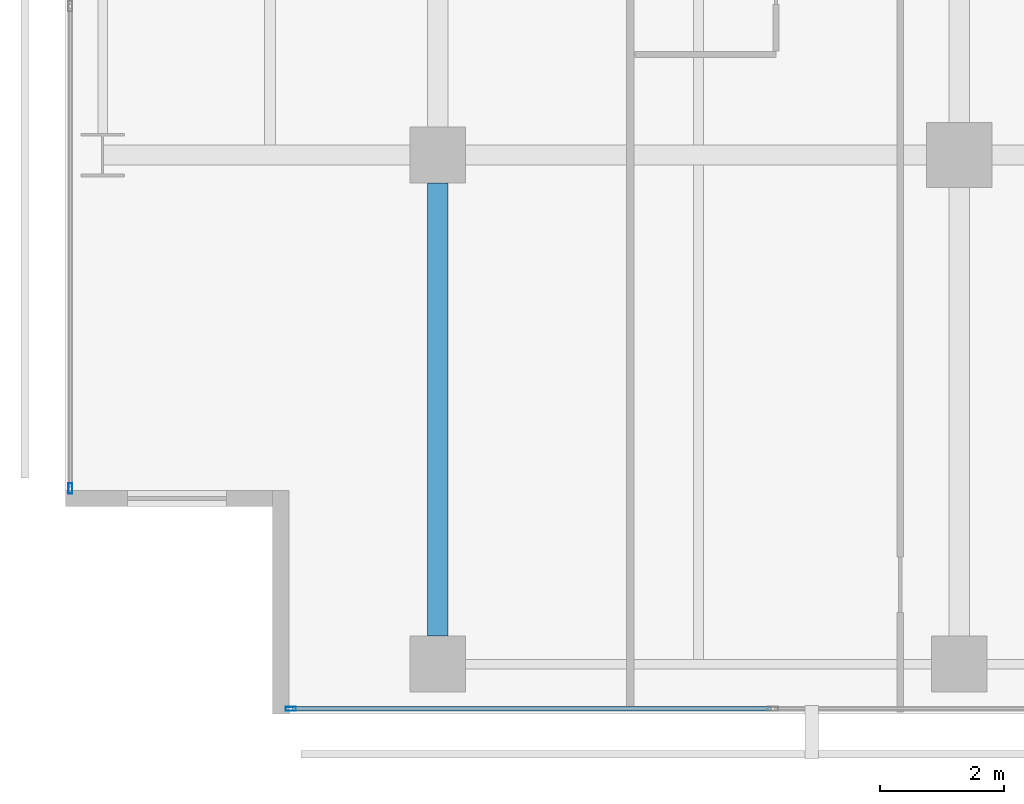
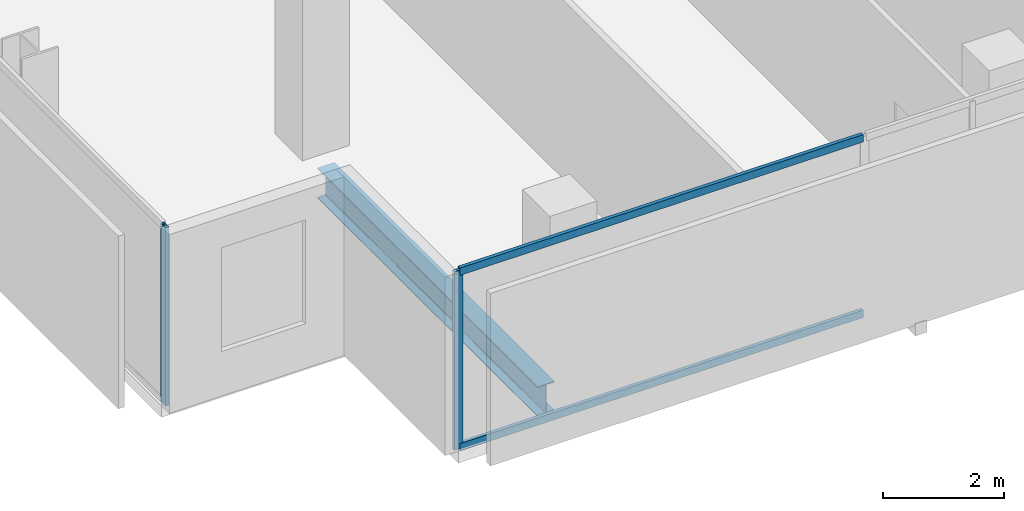
# One storey, part 2 of 40: 4 members, 1 beam, 2 elements without a shape of their own.
"""IFC4 building model written with IfcOpenShell, lengths in metres."""

from ifc_helpers import new_model, si_unit, direction, frame, origin, origin_2d, place, context, subcontext, project, spatial, hollow_rectangle, i_section, extrude, material, layer, layer_set, material_profile, profile_set, type_object, element, aggregate, save


model = new_model("IFC4")

# Units and contexts
model_context = context("Model", 3, precision=1e-05, world=origin(), true_north=direction((0.0, 1.0)))
body_context = subcontext(model_context, "Body", "Model", "MODEL_VIEW")
ifc_project = project(units=[si_unit("LENGTHUNIT", "METRE"), si_unit("AREAUNIT", "SQUARE_METRE"), si_unit("VOLUMEUNIT", "CUBIC_METRE"), si_unit("PLANEANGLEUNIT", "RADIAN"), si_unit("MASSUNIT", "GRAM", prefix="KILO")], contexts=[model_context])

# Site, building, storey
site_placement = place(None, origin())
site = spatial("IfcSite", under=ifc_project, at=site_placement, CompositionType="ELEMENT")
building_placement = place(site_placement, origin())
building = spatial("IfcBuilding", under=site, at=building_placement, Name="Maruvema Waterfront Hotel and Observation Tower", CompositionType="ELEMENT")
storey_placement = place(building_placement, frame((0.0, 0.0, 80.85009765625)))
storey = spatial("IfcBuildingStorey", under=building, at=storey_placement, Name="L19", CompositionType="ELEMENT", Elevation=80.85009765625)

# Curtain wall, members
ifc_material_1 = material(Name="Anodised bronze aluminium and solar-control low-E IGU", Category="aluminium")
ifc_layer = layer(ifc_material_1, 0.159912109375, Name="Zone 1 Bronze Inner Thermal Curtain Wall System CW-02")
ifc_layer_set = layer_set([ifc_layer], Name="Anodised bronze aluminium and solar-control low-E IGU")
curtain_wall_type = type_object("IfcCurtainWallType", Name="Zone 1 Bronze Inner Thermal Curtain Wall System CW-02", PredefinedType="USERDEFINED", material=ifc_layer_set)
curtain_wall_1_placement = place(storey_placement, origin())
curtain_wall_1 = element("IfcCurtainWall", 1, at=curtain_wall_1_placement, inside=storey, type_object=curtain_wall_type, Name="L19 Curtain Wall CW-L19-S", ObjectType="UNITISED CURTAIN WALL", PredefinedType="USERDEFINED")
ifc_material_2 = material(Name="Anodised architectural bronze aluminium", Category="aluminium")
ifc_material_profile_1 = material_profile(ifc_material_2, hollow_rectangle(XDim=0.070068359375, YDim=0.14990234375, WallThickness=0.00390625, at=origin_2d()), Name="ALU-T70x150")
ifc_profile_set_1 = profile_set([ifc_material_profile_1], Name="Anodised architectural bronze aluminium")
member_type_1 = type_object("IfcMemberType", Name="Curtain Wall Horizontal Transom ALU-T70x150", PredefinedType="USERDEFINED", material=ifc_profile_set_1)
member_1_placement = place(storey_placement, frame((14.4599609375, 0.080078125, 0.02978515625), z_axis=(1.0, 0.0, 0.0), x_axis=(0.0, 1.0, 0.0)))
member_1 = element("IfcMember", 2, at=member_1_placement, type_object=member_type_1, Name="CW-02 transom 1.1", ObjectType="TRANSOM", PredefinedType="USERDEFINED", context=body_context, shape_type="SweptSolid", body=[
    extrude(hollow_rectangle(XDim=0.070068359375, YDim=0.14990234375, WallThickness=0.00390625, at=origin_2d()), origin(), (0.0, 0.0, 1.0), 7.7099609375),
])
member_2_placement = place(storey_placement, frame((14.4599609375, 0.080078125, 3.579833984375), z_axis=(1.0, 0.0, 0.0), x_axis=(0.0, 1.0, 0.0)))
member_2 = element("IfcMember", 3, at=member_2_placement, type_object=member_type_1, Name="CW-02 transom 1.2", ObjectType="TRANSOM", PredefinedType="USERDEFINED", context=body_context, shape_type="SweptSolid", body=[
    extrude(hollow_rectangle(XDim=0.070068359375, YDim=0.14990234375, WallThickness=0.00390625, at=origin_2d()), origin(), (0.0, 0.0, 1.0), 7.7099609375),
])
ifc_material_3 = material(Name="Anodised architectural bronze aluminium", Category="aluminium")
ifc_material_profile_2 = material_profile(ifc_material_3, hollow_rectangle(XDim=0.06494140625, YDim=0.1650390625, WallThickness=0.00390625, at=origin_2d()), Name="ALU-M65x165")
ifc_profile_set_2 = profile_set([ifc_material_profile_2], Name="Anodised architectural bronze aluminium")
member_type_2 = type_object("IfcMemberType", Name="Curtain Wall Primary Mullion ALU-M65x165", PredefinedType="MULLION", material=ifc_profile_set_2)
member_3_placement = place(storey_placement, frame((14.429931640625, 0.080078125, 0.0), z_axis=(0.0, 0.0, 1.0), x_axis=(0.0, 1.0, 0.0)))
member_3 = element("IfcMember", 4, at=member_3_placement, type_object=member_type_2, Name="CW-02 mullion 1", PredefinedType="MULLION", context=body_context, shape_type="SweptSolid", body=[
    extrude(hollow_rectangle(XDim=0.06494140625, YDim=0.1650390625, WallThickness=0.00390625, at=origin_2d()), origin(), (0.0, 0.0, 1.0), 3.60986328125),
])
aggregate(curtain_wall_1, [member_3, member_1, member_2])

# Curtain wall, member
curtain_wall_2_placement = place(storey_placement, origin())
curtain_wall_2 = element("IfcCurtainWall", 5, at=curtain_wall_2_placement, inside=storey, type_object=curtain_wall_type, Name="L19 Curtain Wall CW-L19-W", ObjectType="UNITISED CURTAIN WALL", PredefinedType="USERDEFINED")
member_4_placement = place(storey_placement, frame((10.8798828125, 3.6298828125, 0.0), z_axis=(0.0, 0.0, 1.0), x_axis=(1.0, 0.0, 0.0)))
member_4 = element("IfcMember", 6, at=member_4_placement, type_object=member_type_2, Name="CW-02 mullion 7", PredefinedType="MULLION", context=body_context, shape_type="SweptSolid", body=[
    extrude(hollow_rectangle(XDim=0.06494140625, YDim=0.1650390625, WallThickness=0.00390625, at=origin_2d()), origin(), (0.0, 0.0, 1.0), 3.60986328125),
])
aggregate(curtain_wall_2, [member_4])

# Beam
ifc_material_4 = material(Name="Steel ASTM A572 Grade 50", Category="steel")
ifc_material_profile_3 = material_profile(ifc_material_4, i_section(OverallWidth=0.323974609375, OverallDepth=0.611083984375, WebThickness=0.0126953125, FlangeThickness=0.01904296875, FilletRadius=0.01806640625, at=origin_2d()), Name="W610x155.0")
ifc_profile_set_3 = profile_set([ifc_material_profile_3], Name="Steel ASTM A572 Grade 50")
beam_type = type_object("IfcBeamType", Name="Primary Floor Girder W610x155.0", PredefinedType="BEAM", material=ifc_profile_set_3)
beam_placement = place(storey_placement, frame((16.800048828125, 1.25, -0.545654296875), z_axis=(0.0, 1.0, 0.0), x_axis=(-1.0, 0.0, 0.0)))
element("IfcBeam", 7, at=beam_placement, inside=storey, type_object=beam_type, Name="L19 Floor Girder NS-05", PredefinedType="BEAM", context=body_context, shape_type="SweptSolid", body=[
    extrude(i_section(OverallWidth=0.323974609375, OverallDepth=0.611083984375, WebThickness=0.0126953125, FlangeThickness=0.01904296875, FilletRadius=0.01806640625, at=origin_2d()), origin(), (0.0, 0.0, 1.0), 7.300048828125),
])

save(model, "model.ifc")
